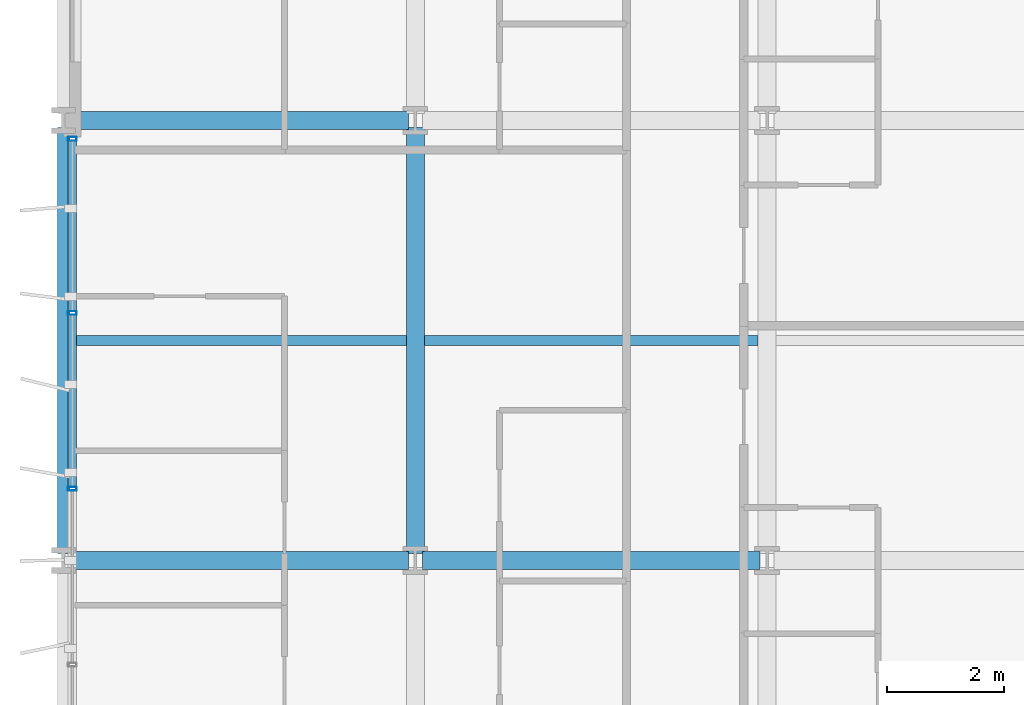
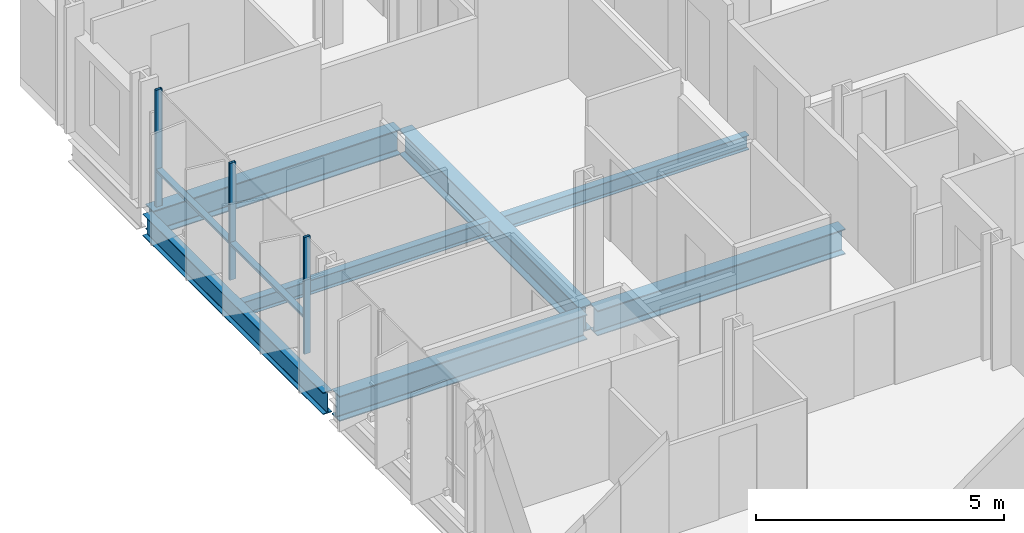
# One storey, part 5 of 39: 7 beams, 5 members, 1 element without a shape of its own.
"""IFC4 building model written with IfcOpenShell, lengths in metres."""

from ifc_helpers import new_model, si_unit, direction, frame, origin, origin_2d, place, context, subcontext, project, spatial, hollow_rectangle, i_section, extrude, material, layer, layer_set, material_profile, profile_set, type_object, element, aggregate, save


model = new_model("IFC4")

# Units and contexts
model_context = context("Model", 3, precision=1e-05, world=origin(), true_north=direction((0.0, 1.0)))
body_context = subcontext(model_context, "Body", "Model", "MODEL_VIEW")
ifc_project = project(units=[si_unit("LENGTHUNIT", "METRE"), si_unit("AREAUNIT", "SQUARE_METRE"), si_unit("VOLUMEUNIT", "CUBIC_METRE"), si_unit("PLANEANGLEUNIT", "RADIAN"), si_unit("MASSUNIT", "GRAM", prefix="KILO")], contexts=[model_context])

# Site, building, storey
site_placement = place(None, origin())
site = spatial("IfcSite", under=ifc_project, at=site_placement, CompositionType="ELEMENT")
building_placement = place(site_placement, origin())
building = spatial("IfcBuilding", under=site, at=building_placement, Name="Brevholm Reach", CompositionType="ELEMENT")
storey_placement = place(building_placement, frame((0.0, 0.0, 40.39990234375)))
storey = spatial("IfcBuildingStorey", under=building, at=storey_placement, Name="L10", CompositionType="ELEMENT", Elevation=40.39990234375)

# Beams
ifc_material_1 = material(Name="Structural Steel S355J2", Category="steel")
ifc_material_profile_1 = material_profile(ifc_material_1, i_section(OverallWidth=0.17138671875, OverallDepth=0.35498046875, WebThickness=0.00732421875, FlangeThickness=0.011474609375, FilletRadius=0.01025390625, at=origin_2d()), Name="UKB 356x171x51")
ifc_profile_set_1 = profile_set([ifc_material_profile_1], Name="Structural Steel S355J2")
beam_type_1 = type_object("IfcBeamType", Name="BM-B356", PredefinedType="BEAM", material=ifc_profile_set_1)
beam_1_placement = place(storey_placement, frame((0.10546875, 19.75, -0.407470703125), z_axis=(1.0, 0.0, 0.0), x_axis=(0.0, 1.0, 0.0)))
element("IfcBeam", 1, at=beam_1_placement, inside=storey, type_object=beam_type_1, Name="L10 Composite Secondary Floor Beam", PredefinedType="BEAM", context=body_context, shape_type="SweptSolid", body=[
    extrude(i_section(OverallWidth=0.17138671875, OverallDepth=0.35498046875, WebThickness=0.00732421875, FlangeThickness=0.011474609375, FilletRadius=0.01025390625, at=origin_2d()), origin(), (0.0, 0.0, 1.0), 5.740966796875),
])
beam_2_placement = place(storey_placement, frame((6.153564453125, 19.75, -0.407470703125), z_axis=(1.0, 0.0, 0.0), x_axis=(0.0, 1.0, 0.0)))
element("IfcBeam", 2, at=beam_2_placement, inside=storey, type_object=beam_type_1, Name="L10 Composite Secondary Floor Beam", PredefinedType="BEAM", context=body_context, shape_type="SweptSolid", body=[
    extrude(i_section(OverallWidth=0.17138671875, OverallDepth=0.35498046875, WebThickness=0.00732421875, FlangeThickness=0.011474609375, FilletRadius=0.01025390625, at=origin_2d()), origin(), (0.0, 0.0, 1.0), 5.69287109375),
])
ifc_material_2 = material(Name="Structural Steel S355J2", Category="steel")
ifc_material_profile_2 = material_profile(ifc_material_2, i_section(OverallWidth=0.210693359375, OverallDepth=0.53955078125, WebThickness=0.01171875, FlangeThickness=0.018798828125, FilletRadius=0.0126953125, at=origin_2d()), Name="UKB 533x210x109")
ifc_profile_set_2 = profile_set([ifc_material_profile_2], Name="Structural Steel S355J2")
beam_type_2 = type_object("IfcBeamType", Name="BM-SP539", PredefinedType="SPANDREL", material=ifc_profile_set_2)
beam_3_placement = place(storey_placement, frame((0.0, 16.1201171875, -0.499755859375), z_axis=(0.0, 1.0, 0.0), x_axis=(-1.0, 0.0, 0.0)))
element("IfcBeam", 3, at=beam_3_placement, inside=storey, type_object=beam_type_2, Name="L10 SP-01B Framing Beam", PredefinedType="SPANDREL", context=body_context, shape_type="SweptSolid", body=[
    extrude(i_section(OverallWidth=0.210693359375, OverallDepth=0.53955078125, WebThickness=0.01171875, FlangeThickness=0.018798828125, FilletRadius=0.0126953125, at=origin_2d()), origin(), (0.0, 0.0, 1.0), 7.259765625),
])
ifc_material_3 = material(Name="Structural Steel S355J2", Category="steel")
ifc_material_profile_3 = material_profile(ifc_material_3, i_section(OverallWidth=0.30712890625, OverallDepth=0.6201171875, WebThickness=0.01416015625, FlangeThickness=0.023681640625, FilletRadius=0.0166015625, at=origin_2d()), Name="UKB 610x305x179")
ifc_profile_set_3 = profile_set([ifc_material_profile_3], Name="Structural Steel S355J2")
beam_type_3 = type_object("IfcBeamType", Name="BM-UKB610H", PredefinedType="USERDEFINED", material=ifc_profile_set_3)
for number, where, z_axis, x_axis, name in (
    (4, (0.1201171875, 16.0, -0.5400390625), (1.0, 0.0, 0.0), (0.0, 1.0, 0.0), "L10 G-06 Framing Beam"),
    (5, (6.1201171875, 16.0, -0.5400390625), (1.0, 0.0, 0.0), (0.0, 1.0, 0.0), "L10 G-06 Framing Beam"),
    (6, (0.1201171875, 23.5, -0.5400390625), (1.0, 0.0, 0.0), (0.0, 1.0, 0.0), "L10 G-06 Framing Beam"),
):
    element("IfcBeam", number, at=place(storey_placement, frame(where, z_axis=z_axis, x_axis=x_axis)), inside=storey, type_object=beam_type_3, Name=name, ObjectType="GIRDER", PredefinedType="USERDEFINED", context=body_context, shape_type="SweptSolid", body=[
        extrude(i_section(OverallWidth=0.30712890625, OverallDepth=0.6201171875, WebThickness=0.01416015625, FlangeThickness=0.023681640625, FilletRadius=0.0166015625, at=origin_2d()), origin(), (0.0, 0.0, 1.0), 5.759765625),
    ])
beam_4_placement = place(storey_placement, frame((6.0, 16.1201171875, -0.5400390625), z_axis=(0.0, 1.0, 0.0), x_axis=(-1.0, 0.0, 0.0)))
element("IfcBeam", 7, at=beam_4_placement, inside=storey, type_object=beam_type_3, Name="L10 G-06 Framing Beam", ObjectType="GIRDER", PredefinedType="USERDEFINED", context=body_context, shape_type="SweptSolid", body=[
    extrude(i_section(OverallWidth=0.30712890625, OverallDepth=0.6201171875, WebThickness=0.01416015625, FlangeThickness=0.023681640625, FilletRadius=0.0166015625, at=origin_2d()), origin(), (0.0, 0.0, 1.0), 7.259765625),
])

# Curtain wall, members
ifc_material_4 = material(Name="Dark Anodised Aluminium 6063-T6 and Solar-Control Glass", Category="aluminium")
ifc_layer = layer(ifc_material_4, 0.14990234375)
ifc_layer_set = layer_set([ifc_layer], Name="Dark Anodised Aluminium 6063-T6 and Solar-Control Glass")
curtain_wall_type = type_object("IfcCurtainWallType", Name="CW-01", PredefinedType="NOTDEFINED", material=ifc_layer_set)
curtain_wall_placement = place(storey_placement, origin())
curtain_wall = element("IfcCurtainWall", 8, at=curtain_wall_placement, inside=storey, type_object=curtain_wall_type, Name="L10 Curtain Wall CW-01", PredefinedType="NOTDEFINED")
ifc_material_5 = material(Name="Dark Anodised Aluminium 6063-T6", Category="aluminium")
ifc_material_profile_4 = material_profile(ifc_material_5, hollow_rectangle(XDim=0.06494140625, YDim=0.14990234375, WallThickness=0.0048828125, InnerFilletRadius=0.0048828125, OuterFilletRadius=0.010009765625, at=origin_2d()), Name="RHS 150x65x5")
ifc_profile_set_4 = profile_set([ifc_material_profile_4], Name="Dark Anodised Aluminium 6063-T6")
member_type_1 = type_object("IfcMemberType", Name="CWM-150", PredefinedType="MULLION", material=ifc_profile_set_4)
member_1_placement = place(storey_placement, frame((0.14990234375, 23.1875, 0.0), z_axis=(0.0, 0.0, 1.0), x_axis=(0.0, -1.0, 0.0)))
member_1 = element("IfcMember", 9, at=member_1_placement, type_object=member_type_1, Name="CM-150 Mullion 1", PredefinedType="MULLION", context=body_context, shape_type="SweptSolid", body=[
    extrude(hollow_rectangle(XDim=0.06494140625, YDim=0.14990234375, WallThickness=0.0048828125, InnerFilletRadius=0.0048828125, OuterFilletRadius=0.010009765625, at=origin_2d()), origin(), (0.0, 0.0, 1.0), 2.8701171875),
])
member_2_placement = place(storey_placement, frame((0.14990234375, 20.219970703125, 0.0), z_axis=(0.0, 0.0, 1.0), x_axis=(0.0, -1.0, 0.0)))
member_2 = element("IfcMember", 10, at=member_2_placement, type_object=member_type_1, Name="CM-150 Mullion 2", PredefinedType="MULLION", context=body_context, shape_type="SweptSolid", body=[
    extrude(hollow_rectangle(XDim=0.06494140625, YDim=0.14990234375, WallThickness=0.0048828125, InnerFilletRadius=0.0048828125, OuterFilletRadius=0.010009765625, at=origin_2d()), origin(), (0.0, 0.0, 1.0), 2.8701171875),
])
member_3_placement = place(storey_placement, frame((0.14990234375, 17.219970703125, 0.0), z_axis=(0.0, 0.0, 1.0), x_axis=(0.0, -1.0, 0.0)))
member_3 = element("IfcMember", 11, at=member_3_placement, type_object=member_type_1, Name="CM-150 Mullion 3", PredefinedType="MULLION", context=body_context, shape_type="SweptSolid", body=[
    extrude(hollow_rectangle(XDim=0.06494140625, YDim=0.14990234375, WallThickness=0.0048828125, InnerFilletRadius=0.0048828125, OuterFilletRadius=0.010009765625, at=origin_2d()), origin(), (0.0, 0.0, 1.0), 2.8701171875),
])
ifc_material_6 = material(Name="Dark Anodised Aluminium 6063-T6", Category="aluminium")
ifc_material_profile_5 = material_profile(ifc_material_6, hollow_rectangle(XDim=0.06494140625, YDim=0.14990234375, WallThickness=0.0048828125, InnerFilletRadius=0.0048828125, OuterFilletRadius=0.010009765625, at=origin_2d()), Name="RHS 150x65x5")
ifc_profile_set_5 = profile_set([ifc_material_profile_5], Name="Dark Anodised Aluminium 6063-T6")
member_type_2 = type_object("IfcMemberType", Name="CWT-150", PredefinedType="NOTDEFINED", material=ifc_profile_set_5)
member_4_placement = place(storey_placement, frame((0.14990234375, 23.155029296875, 0.900146484375), z_axis=(0.0, -1.0, 0.0), x_axis=(0.0, 0.0, 1.0)))
member_4 = element("IfcMember", 12, at=member_4_placement, type_object=member_type_2, Name="CT-150 Transom 1.1", ObjectType="TRANSOM", PredefinedType="USERDEFINED", context=body_context, shape_type="SweptSolid", body=[
    extrude(hollow_rectangle(XDim=0.06494140625, YDim=0.14990234375, WallThickness=0.0048828125, InnerFilletRadius=0.0048828125, OuterFilletRadius=0.010009765625, at=origin_2d()), origin(), (0.0, 0.0, 1.0), 2.902587890625),
])
member_5_placement = place(storey_placement, frame((0.14990234375, 20.1875, 0.900146484375), z_axis=(0.0, -1.0, 0.0), x_axis=(0.0, 0.0, 1.0)))
member_5 = element("IfcMember", 13, at=member_5_placement, type_object=member_type_2, Name="CT-150 Transom 2.1", ObjectType="TRANSOM", PredefinedType="USERDEFINED", context=body_context, shape_type="SweptSolid", body=[
    extrude(hollow_rectangle(XDim=0.06494140625, YDim=0.14990234375, WallThickness=0.0048828125, InnerFilletRadius=0.0048828125, OuterFilletRadius=0.010009765625, at=origin_2d()), origin(), (0.0, 0.0, 1.0), 2.93505859375),
])
aggregate(curtain_wall, [member_1, member_2, member_3, member_4, member_5])

save(model, "model.ifc")
